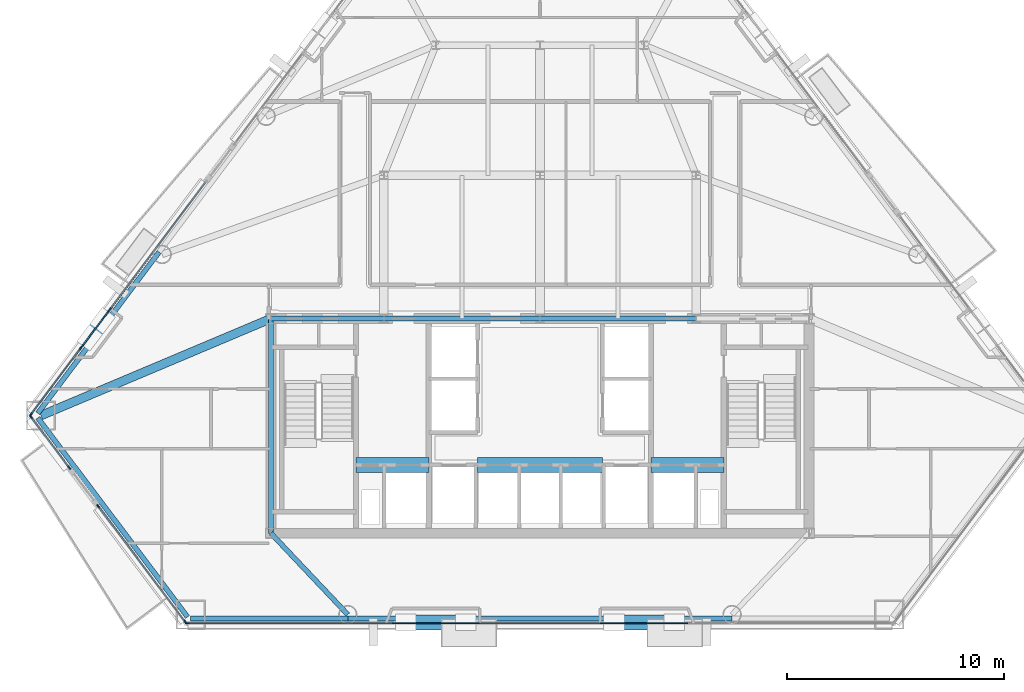
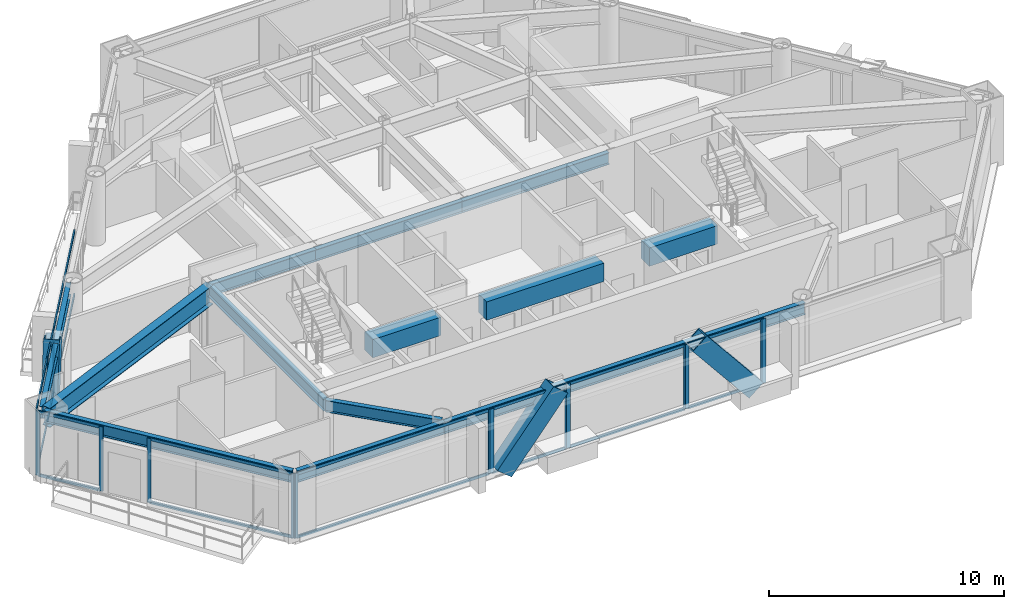
# One storey, part 2 of 11: 39 members, 13 beams, 10 elements without a shape of their own.
"""IFC4 building model written with IfcOpenShell, lengths in metres."""

import ifcopenshell
import ifcopenshell.guid

model = None  # the IFC model being written
_history = None  # IfcOwnerHistory: only IFC2X3 demands one
_inside = {}  # id of a spatial element -> (the spatial element, [elements in it])
_under = {}  # id of a project, library or spatial element -> (it, [spatial elements below it])
_declared = {}  # id of a project -> (the project, [libraries it declares])
_typed = {}  # id of a type object -> (the type object, [elements of that type])
_made_of = {}  # id of a material, layer set ... -> (it, [elements and type objects made of it])


def new_model(schema):
    """Start an empty IFC model of exactly this schema.

    Asked for "IFC4X3", IfcOpenShell would pick the latest addendum, in which some entities
    have other attributes; the version numbers below select the first issue.
    IFC2X3 requires an IfcOwnerHistory on every rooted entity: one is made here for all.
    """
    global model, _history
    if schema == "IFC4X3":
        model = ifcopenshell.file(schema_version=(4, 3, 0, 0))
    else:
        model = ifcopenshell.file(schema=schema)
    _inside.clear()
    _under.clear()
    _declared.clear()
    _typed.clear()
    _made_of.clear()
    _history = None
    if model.schema == "IFC2X3":
        org = make("IfcOrganization", Name="unknown")
        user = make(
            "IfcPersonAndOrganization",
            ThePerson=make("IfcPerson", FamilyName="unknown"),
            TheOrganization=org,
        )
        app = make(
            "IfcApplication",
            ApplicationDeveloper=org,
            Version="unknown",
            ApplicationFullName="unknown",
            ApplicationIdentifier="unknown",
        )
        _history = make(
            "IfcOwnerHistory",
            OwningUser=user,
            OwningApplication=app,
            ChangeAction="ADDED",
            CreationDate=0,
        )
    return model


def make(cls, **values):
    """One entity of the class cls with the attributes given. An attribute that is None is left unset."""
    return model.create_entity(
        cls, **{name: value for name, value in values.items() if value is not None}
    )


def rooted(cls, **values):
    """An entity with a GlobalId (a new one), such as an element, a storey or a relation."""
    return make(cls, GlobalId=ifcopenshell.guid.new(), OwnerHistory=_history, **values)


def si_unit(unit_type, name, prefix=None):
    """IfcSIUnit, for example si_unit("LENGTHUNIT", "METRE", prefix="MILLI")."""
    return make("IfcSIUnit", UnitType=unit_type, Prefix=prefix, Name=name)


def assignment(units):
    """IfcUnitAssignment: the units of a project."""
    return None if units is None else make("IfcUnitAssignment", Units=units)


def point(xyz):
    """IfcCartesianPoint."""
    return None if xyz is None else make("IfcCartesianPoint", Coordinates=xyz)


def direction(xyz):
    """IfcDirection."""
    return None if xyz is None else make("IfcDirection", DirectionRatios=xyz)


def frame(location, z_axis=None, x_axis=None):
    """IfcAxis2Placement3D, a coordinate frame: its origin and axes. An axis left out is left unset."""
    return make(
        "IfcAxis2Placement3D",
        Location=point(location),
        Axis=direction(z_axis),
        RefDirection=direction(x_axis),
    )


def frame_2d(location, x_axis=None):
    """IfcAxis2Placement2D, a coordinate frame in the plane: its origin and x axis."""
    return make(
        "IfcAxis2Placement2D", Location=point(location), RefDirection=direction(x_axis)
    )


def origin():
    """The frame at (0, 0, 0) with its axes left unset."""
    return frame((0.0, 0.0, 0.0))


def origin_2d():
    """The frame at (0, 0) in the plane with its x axis left unset."""
    return frame_2d((0.0, 0.0))


def place(relative_to, where):
    """IfcLocalPlacement: puts the frame where relative to a parent placement (None: the world)."""
    return make(
        "IfcLocalPlacement", PlacementRelTo=relative_to, RelativePlacement=where
    )


def context(
    kind, dimensions, precision=None, world=None, true_north=None, identifier=None
):
    """IfcGeometricRepresentationContext, for example the 3D "Model" context."""
    return make(
        "IfcGeometricRepresentationContext",
        ContextIdentifier=identifier,
        ContextType=kind,
        CoordinateSpaceDimension=dimensions,
        Precision=precision,
        WorldCoordinateSystem=world,
        TrueNorth=true_north,
    )


def subcontext(parent, identifier, kind, view, scale=None):
    """IfcGeometricRepresentationSubContext, for example "Body" below "Model"."""
    return make(
        "IfcGeometricRepresentationSubContext",
        ContextIdentifier=identifier,
        ContextType=kind,
        ParentContext=parent,
        TargetScale=scale,
        TargetView=view,
    )


def project(units=None, contexts=None):
    """IfcProject with its units and contexts."""
    return rooted(
        "IfcProject",
        Name="project",
        RepresentationContexts=contexts,
        UnitsInContext=assignment(units),
    )


def spatial(cls, under=None, at=None, **own):
    """A site, building, storey or space (cls), placed at a placement, below another one or the project."""
    s = rooted(cls, ObjectPlacement=at, **own)
    if under is not None:
        _under.setdefault(under.id(), (under, []))[1].append(s)
    return s


def profile(cls, at=None, kind="AREA", **sizes):
    """A parametric profile (cls). Its sizes go by their IFC names, for example OverallWidth=200.0."""
    return make(cls, ProfileType=kind, Position=at, **sizes)


def rectangle(**sizes):
    """IfcRectangleProfileDef."""
    return profile("IfcRectangleProfileDef", **sizes)


def hollow_rectangle(**sizes):
    """IfcRectangleHollowProfileDef."""
    return profile("IfcRectangleHollowProfileDef", **sizes)


def i_section(**sizes):
    """IfcIShapeProfileDef."""
    return profile("IfcIShapeProfileDef", **sizes)


def extrude(swept, where, along, depth):
    """IfcExtrudedAreaSolid: the profile swept, set in the frame where, extruded along a direction by depth."""
    return make(
        "IfcExtrudedAreaSolid",
        SweptArea=swept,
        Position=where,
        ExtrudedDirection=direction(along),
        Depth=depth,
    )


def shape(context_of_items, identifier, shape_type, items):
    """IfcShapeRepresentation: the items that make up one representation, for example the "Body"."""
    return make(
        "IfcShapeRepresentation",
        ContextOfItems=context_of_items,
        RepresentationIdentifier=identifier,
        RepresentationType=shape_type,
        Items=items,
    )


def material(Name=None, Category=None):
    """IfcMaterial."""
    return make("IfcMaterial", Name=Name, Category=Category)


def layer(
    of_material, thickness, ventilated=None, Name=None, Category=None, Priority=None
):
    """IfcMaterialLayer: one layer of a wall or slab, of a material (None: an air gap)."""
    return make(
        "IfcMaterialLayer",
        Material=of_material,
        LayerThickness=thickness,
        IsVentilated=ventilated,
        Name=Name,
        Category=Category,
        Priority=Priority,
    )


def layer_set(layers, Name=None):
    """IfcMaterialLayerSet."""
    return make("IfcMaterialLayerSet", MaterialLayers=layers, LayerSetName=Name)


def material_profile(
    of_material, cross_section, Name=None, Category=None, Priority=None
):
    """IfcMaterialProfile: a cross section and its material."""
    return make(
        "IfcMaterialProfile",
        Name=Name,
        Material=of_material,
        Profile=cross_section,
        Priority=Priority,
        Category=Category,
    )


def profile_set(profiles, Name=None, composite=None):
    """IfcMaterialProfileSet."""
    return make(
        "IfcMaterialProfileSet",
        Name=Name,
        MaterialProfiles=profiles,
        CompositeProfile=composite,
    )


def made_of(thing, what):
    """Note that an element or type object is made of a material, layer set ...; save() writes the relation."""
    if what is not None:
        _made_of.setdefault(what.id(), (what, []))[1].append(thing)
    return thing


def type_object(cls, material=None, **own):
    """A type object (cls), such as IfcWallType, which elements share."""
    return made_of(rooted(cls, **own), material)


def element(
    cls,
    number,
    at=None,
    inside=None,
    cuts=None,
    type_object=None,
    material=None,
    context=None,
    identifier="Body",
    shape_type=None,
    held_by="IfcProductDefinitionShape",
    body=None,
    shapes=None,
    **own,
):
    """One element of the class cls, such as IfcWall. Its Tag is "e" and its number.

    at: its placement. inside: the storey or other place that contains it. cuts: it is an
    opening in that element (IfcRelVoidsElement). A single representation is given by context,
    identifier, shape_type and body (its items); several are given by shapes. held_by: the class
    of the entity that holds the representations. save() writes the other relations.
    """
    e = rooted(cls, Tag="e%d" % number, ObjectPlacement=at, **own)
    if body is not None:
        shapes = [shape(context, identifier, shape_type, body)]
    if shapes is not None:
        e.Representation = make(held_by, Representations=shapes)
    if inside is not None:
        _inside.setdefault(inside.id(), (inside, []))[1].append(e)
    if cuts is not None:
        rooted(
            "IfcRelVoidsElement", RelatingBuildingElement=cuts, RelatedOpeningElement=e
        )
    if type_object is not None:
        _typed.setdefault(type_object.id(), (type_object, []))[1].append(e)
    return made_of(e, material)


def aggregate(whole, parts):
    """IfcRelAggregates: a whole, such as a stair, and the parts it consists of."""
    return rooted("IfcRelAggregates", RelatingObject=whole, RelatedObjects=parts)


def save(model, path):
    """Write the relations noted so far, then the file.

    IfcRelAggregates (storeys below a building ...), IfcRelContainedInSpatialStructure (elements
    in a storey), IfcRelDefinesByType, IfcRelAssociatesMaterial and IfcRelDeclares: one each for
    every whole, place, type object, material and project.
    """
    for whole, parts in _under.values():
        aggregate(whole, parts)
    for where, things in _inside.values():
        rooted(
            "IfcRelContainedInSpatialStructure",
            RelatedElements=things,
            RelatingStructure=where,
        )
    for kind, things in _typed.values():
        rooted("IfcRelDefinesByType", RelatedObjects=things, RelatingType=kind)
    for what, things in _made_of.values():
        rooted("IfcRelAssociatesMaterial", RelatedObjects=things, RelatingMaterial=what)
    for by, libraries in _declared.values():
        rooted("IfcRelDeclares", RelatingContext=by, RelatedDefinitions=libraries)
    model.write(path)


model = new_model("IFC4")

# Units and contexts
model_context = context("Model", 3, precision=1e-05, world=origin(), true_north=direction((0.0, 1.0)))
body_context = subcontext(model_context, "Body", "Model", "MODEL_VIEW")
ifc_project = project(units=[si_unit("LENGTHUNIT", "METRE"), si_unit("AREAUNIT", "SQUARE_METRE"), si_unit("VOLUMEUNIT", "CUBIC_METRE"), si_unit("PLANEANGLEUNIT", "RADIAN"), si_unit("MASSUNIT", "GRAM", prefix="KILO")], contexts=[model_context])

# Site, building, storey
site_placement = place(None, origin())
site = spatial("IfcSite", under=ifc_project, at=site_placement, CompositionType="ELEMENT")
building_placement = place(site_placement, origin())
building = spatial("IfcBuilding", under=site, at=building_placement, Name="Talgorran Terracotta Tower", CompositionType="ELEMENT")
storey_placement = place(building_placement, frame((0.0, 0.0, 68.39990234375)))
storey = spatial("IfcBuildingStorey", under=building, at=storey_placement, Name="L17", CompositionType="ELEMENT", Elevation=68.39990234375)

# Beams
ifc_material_1 = material(Name="Steel Grade 350 (350L0)", Category="steel")
ifc_material_profile_1 = material_profile(ifc_material_1, i_section(OverallWidth=0.39990234375, OverallDepth=1.0, WebThickness=0.01611328125, FlangeThickness=0.031005859375, at=origin_2d()), Name="1000WB296")
ifc_profile_set_1 = profile_set([ifc_material_profile_1], Name="Steel Grade 350 (350L0)")
beam_type_1 = type_object("IfcBeamType", Name="BM_1000WB296", PredefinedType="BEAM", material=ifc_profile_set_1)
beam_1_placement = place(storey_placement, frame((-12.39990234375, -4.199951171875, 2.85009765625), z_axis=(-0.921400833848, -0.388613565619, 0.0), x_axis=(0.388613565619, -0.921400833848, 0.0)))
element("IfcBeam", 1, at=beam_1_placement, inside=storey, type_object=beam_type_1, Name="L17 Floor Girder G17", PredefinedType="BEAM", context=body_context, shape_type="SweptSolid", body=[
    extrude(i_section(OverallWidth=0.39990234375, OverallDepth=1.0, WebThickness=0.01611328125, FlangeThickness=0.031005859375, at=origin_2d()), origin(), (0.0, 0.0, 1.0), 11.510009765625),
])
ifc_material_2 = material(Name="Concrete C65/80", Category="concrete")
ifc_material_profile_2 = material_profile(ifc_material_2, rectangle(XDim=0.699951171875, YDim=0.949951171875, at=origin_2d()), Name="RCCB700X950")
ifc_profile_set_2 = profile_set([ifc_material_profile_2], Name="Concrete C65/80")
beam_type_2 = type_object("IfcBeamType", Name="BM_CB_700X950", PredefinedType="LINTEL", material=ifc_profile_set_2)
beam_2_placement = place(storey_placement, frame((-8.47998046875, -10.949951171875, 2.875), z_axis=(1.0, 0.0, 0.0), x_axis=(0.0, 1.0, 0.0)))
element("IfcBeam", 2, at=beam_2_placement, inside=storey, type_object=beam_type_2, Name="L17 Core Shear-Wall Coupling Beam CB1", PredefinedType="LINTEL", context=body_context, shape_type="SweptSolid", body=[
    extrude(rectangle(XDim=0.699951171875, YDim=0.949951171875, at=origin_2d()), origin(), (0.0, 0.0, 1.0), 3.35986328125),
])
beam_3_placement = place(storey_placement, frame((-2.8798828125, -10.949951171875, 2.875), z_axis=(1.0, 0.0, 0.0), x_axis=(0.0, 1.0, 0.0)))
element("IfcBeam", 3, at=beam_3_placement, inside=storey, type_object=beam_type_2, Name="L17 Core Shear-Wall Coupling Beam CB2", PredefinedType="LINTEL", context=body_context, shape_type="SweptSolid", body=[
    extrude(rectangle(XDim=0.699951171875, YDim=0.949951171875, at=origin_2d()), origin(), (0.0, 0.0, 1.0), 5.759765625),
])
beam_4_placement = place(storey_placement, frame((5.1201171875, -10.949951171875, 2.875), z_axis=(1.0, 0.0, 0.0), x_axis=(0.0, 1.0, 0.0)))
element("IfcBeam", 4, at=beam_4_placement, inside=storey, type_object=beam_type_2, Name="L17 Core Shear-Wall Coupling Beam CB3", PredefinedType="LINTEL", context=body_context, shape_type="SweptSolid", body=[
    extrude(rectangle(XDim=0.699951171875, YDim=0.949951171875, at=origin_2d()), origin(), (0.0, 0.0, 1.0), 3.35986328125),
])
ifc_material_3 = material(Name="Steel S355 (300PLUS)", Category="steel")
ifc_material_profile_3 = material_profile(ifc_material_3, i_section(OverallWidth=0.22900390625, OverallDepth=0.611572265625, WebThickness=0.011962890625, FlangeThickness=0.01953125, at=origin_2d()), Name="610UB125")
ifc_profile_set_3 = profile_set([ifc_material_profile_3], Name="Steel S355 (300PLUS)")
beam_type_3 = type_object("IfcBeamType", Name="BM_SP_610UB125", PredefinedType="SPANDREL", material=ifc_profile_set_3)
beam_5_placement = place(storey_placement, frame((-23.14892578125, -8.781005859375, 3.044189453125), z_axis=(0.601237780209, -0.799070166913, 0.0), x_axis=(0.799070166913, 0.601237780209, 0.0)))
element("IfcBeam", 5, at=beam_5_placement, inside=storey, type_object=beam_type_3, Name="L17 Perimeter Spandrel Beam MC1-MC2", PredefinedType="SPANDREL", context=body_context, shape_type="SweptSolid", body=[
    extrude(i_section(OverallWidth=0.22900390625, OverallDepth=0.611572265625, WebThickness=0.011962890625, FlangeThickness=0.01953125, at=origin_2d()), origin(), (0.0, 0.0, 1.0), 11.480712890625),
])
beam_6_placement = place(storey_placement, frame((-16.1025390625, -18.026611328125, 3.044189453125), z_axis=(1.0, 0.0, 0.0), x_axis=(0.0, 1.0, 0.0)))
element("IfcBeam", 6, at=beam_6_placement, inside=storey, type_object=beam_type_3, Name="L17 Perimeter Spandrel Beam MC2-FC1", PredefinedType="SPANDREL", context=body_context, shape_type="SweptSolid", body=[
    extrude(i_section(OverallWidth=0.22900390625, OverallDepth=0.611572265625, WebThickness=0.011962890625, FlangeThickness=0.01953125, at=origin_2d()), origin(), (0.0, 0.0, 1.0), 7.24609375),
])
beam_7_placement = place(storey_placement, frame((-8.8564453125, -18.026611328125, 3.044189453125), z_axis=(1.0, 0.0, 0.0), x_axis=(0.0, 1.0, 0.0)))
element("IfcBeam", 7, at=beam_7_placement, inside=storey, type_object=beam_type_3, Name="L17 Perimeter Spandrel Beam FC1-FC2", PredefinedType="SPANDREL", context=body_context, shape_type="SweptSolid", body=[
    extrude(i_section(OverallWidth=0.22900390625, OverallDepth=0.611572265625, WebThickness=0.011962890625, FlangeThickness=0.01953125, at=origin_2d()), origin(), (0.0, 0.0, 1.0), 17.712890625),
])
beam_8_placement = place(storey_placement, frame((-17.559326171875, -1.135498046875, 3.044189453125), z_axis=(-0.601217758064, -0.799085231617, 0.0), x_axis=(0.799085231617, -0.601217758064, 0.0)))
element("IfcBeam", 8, at=beam_8_placement, inside=storey, type_object=beam_type_3, Name="L17 Perimeter Spandrel Beam FC6-MC1", PredefinedType="SPANDREL", context=body_context, shape_type="SweptSolid", body=[
    extrude(i_section(OverallWidth=0.22900390625, OverallDepth=0.611572265625, WebThickness=0.011962890625, FlangeThickness=0.01953125, at=origin_2d()), origin(), (0.0, 0.0, 1.0), 9.297119140625),
])
beam_9_placement = place(storey_placement, frame((-8.8564453125, -17.8466796875, 3.044189453125), z_axis=(-0.687137724954, 0.726527182523, 0.0), x_axis=(-0.726527182523, -0.687137724954, 0.0)))
element("IfcBeam", 9, at=beam_9_placement, inside=storey, type_object=beam_type_3, Name="L17 South-West Core Tie Beam", PredefinedType="SPANDREL", context=body_context, shape_type="SweptSolid", body=[
    extrude(i_section(OverallWidth=0.22900390625, OverallDepth=0.611572265625, WebThickness=0.011962890625, FlangeThickness=0.01953125, at=origin_2d()), origin(), (0.0, 0.0, 1.0), 5.15673828125),
])
beam_10_placement = place(storey_placement, frame((-12.39990234375, -14.10009765625, 3.044189453125), z_axis=(0.0, 1.0, 0.0), x_axis=(-1.0, 0.0, 0.0)))
element("IfcBeam", 10, at=beam_10_placement, inside=storey, type_object=beam_type_3, Name="L17 Core Frame Beam CFW", PredefinedType="SPANDREL", context=body_context, shape_type="SweptSolid", body=[
    extrude(i_section(OverallWidth=0.22900390625, OverallDepth=0.611572265625, WebThickness=0.011962890625, FlangeThickness=0.01953125, at=origin_2d()), origin(), (0.0, 0.0, 1.0), 9.900146484375),
])
beam_11_placement = place(storey_placement, frame((-12.39990234375, -4.199951171875, 3.044189453125), z_axis=(1.0, 0.0, 0.0), x_axis=(0.0, 1.0, 0.0)))
element("IfcBeam", 11, at=beam_11_placement, inside=storey, type_object=beam_type_3, Name="L17 Core Frame Beam CFN1", PredefinedType="SPANDREL", context=body_context, shape_type="SweptSolid", body=[
    extrude(i_section(OverallWidth=0.22900390625, OverallDepth=0.611572265625, WebThickness=0.011962890625, FlangeThickness=0.01953125, at=origin_2d()), origin(), (0.0, 0.0, 1.0), 5.199951171875),
])
for number, where, z_axis, x_axis, name in (
    (12, (-7.199951171875, -4.199951171875, 3.044189453125), (1.0, 0.0, 0.0), (0.0, 1.0, 0.0), "L17 Core Frame Beam CFN2"),
    (13, (0.0, -4.199951171875, 3.044189453125), (1.0, 0.0, 0.0), (0.0, 1.0, 0.0), "L17 Core Frame Beam CFN3"),
):
    element("IfcBeam", number, at=place(storey_placement, frame(where, z_axis=z_axis, x_axis=x_axis)), inside=storey, type_object=beam_type_3, Name=name, PredefinedType="SPANDREL", context=body_context, shape_type="SweptSolid", body=[
        extrude(i_section(OverallWidth=0.22900390625, OverallDepth=0.611572265625, WebThickness=0.011962890625, FlangeThickness=0.01953125, at=origin_2d()), origin(), (0.0, 0.0, 1.0), 7.199951171875),
    ])

# Members
ifc_material_profile_4 = material_profile(ifc_material_1, hollow_rectangle(XDim=0.699951171875, YDim=0.89990234375, WallThickness=0.050048828125, at=origin_2d()), Name="WBOX900X700X50")
ifc_profile_set_4 = profile_set([ifc_material_profile_4], Name="Steel Grade 350 (350L0)")
member_type_1 = type_object("IfcMemberType", Name="MB_MEGA_900", PredefinedType="BRACE", material=ifc_profile_set_4)
for number, where, z_axis, x_axis, name in (
    (14, (-6.187255859375, -18.206787109375, -0.02490234375), (0.631367983521, 0.0, 0.77548337789), (0.0, 1.0, 0.0), "L17 Exterior Face Mega-Brace MB-1 (SWF)"),
    (15, (6.187255859375, -18.206787109375, -0.02490234375), (-0.631367983521, 0.0, 0.77548337789), (0.0, -1.0, 0.0), "L17 Exterior Face Mega-Brace MB-1 (SEF)"),
):
    element("IfcMember", number, at=place(storey_placement, frame(where, z_axis=z_axis, x_axis=x_axis)), inside=storey, type_object=member_type_1, Name=name, PredefinedType="BRACE", context=body_context, shape_type="SweptSolid", body=[
        extrude(hollow_rectangle(XDim=0.699951171875, YDim=0.89990234375, WallThickness=0.050048828125, at=origin_2d()), origin(), (0.0, 0.0, 1.0), 4.38427734375),
    ])
member_1_placement = place(storey_placement, frame((-20.759765625, -5.089599609375, -0.02490234375), z_axis=(0.169613959459, 0.225348197153, 0.959400487177), x_axis=(-0.798972940561, 0.601366976356, 0.0)))
element("IfcMember", 16, at=member_1_placement, inside=storey, type_object=member_type_1, Name="L17 Exterior Face Mega-Brace MB-1 (NWL)", PredefinedType="BRACE", context=body_context, shape_type="SweptSolid", body=[
    extrude(hollow_rectangle(XDim=0.699951171875, YDim=0.89990234375, WallThickness=0.050048828125, at=origin_2d()), origin(), (0.0, 0.0, 1.0), 3.543701171875),
])

# Curtain wall, members
ifc_material_4 = material(Name="Unitised Low-E Double Glazing", Category="glass")
ifc_layer = layer(ifc_material_4, 0.199951171875, Name="CW_SYS2_RES_LOW")
ifc_layer_set = layer_set([ifc_layer], Name="Unitised Low-E Double Glazing")
curtain_wall_type = type_object("IfcCurtainWallType", Name="CW_SYS2_RES_LOW", PredefinedType="NOTDEFINED", material=ifc_layer_set)
curtain_wall_1_placement = place(storey_placement, origin())
curtain_wall_1 = element("IfcCurtainWall", 17, at=curtain_wall_1_placement, inside=storey, type_object=curtain_wall_type, Name="CW-L17-F10", PredefinedType="NOTDEFINED")
ifc_material_5 = material(Name="Architectural Aluminium 6063-T6", Category="aluminium")
ifc_material_profile_5 = material_profile(ifc_material_5, rectangle(XDim=0.06494140625, YDim=0.18505859375, at=origin_2d()), Name="CWM65X185")
ifc_profile_set_5 = profile_set([ifc_material_profile_5], Name="Architectural Aluminium 6063-T6")
member_type_2 = type_object("IfcMemberType", Name="MUL_65X185", PredefinedType="MULLION", material=ifc_profile_set_5)
member_2_placement = place(storey_placement, frame((-23.462158203125, -8.730712890625, 0.0), z_axis=(0.0, 0.0, 1.0), x_axis=(0.799059301885, 0.601252220013, 0.0)))
member_2 = element("IfcMember", 18, at=member_2_placement, type_object=member_type_2, Name="CW-L17-10 mullion 1", PredefinedType="MULLION", context=body_context, shape_type="SweptSolid", body=[
    extrude(rectangle(XDim=0.06494140625, YDim=0.18505859375, at=origin_2d()), origin(), (0.0, 0.0, 1.0), 3.35009765625),
])
member_3_placement = place(storey_placement, frame((-21.697021484375, -11.07666015625, 0.0), z_axis=(0.0, 0.0, 1.0), x_axis=(0.799059301885, 0.601252220013, 0.0)))
member_3 = element("IfcMember", 19, at=member_3_placement, type_object=member_type_2, Name="CW-L17-10 mullion 2", PredefinedType="MULLION", context=body_context, shape_type="SweptSolid", body=[
    extrude(rectangle(XDim=0.06494140625, YDim=0.18505859375, at=origin_2d()), origin(), (0.0, 0.0, 1.0), 3.35009765625),
])

curtain_wall_2_placement = place(storey_placement, origin())
curtain_wall_2 = element("IfcCurtainWall", 20, at=curtain_wall_2_placement, inside=storey, type_object=curtain_wall_type, Name="CW-L17-F11", PredefinedType="NOTDEFINED")
member_4_placement = place(storey_placement, frame((-20.359375, -12.854736328125, 0.0), z_axis=(0.0, 0.0, 1.0), x_axis=(0.799059018604, 0.601252596491, 0.0)))
member_4 = element("IfcMember", 21, at=member_4_placement, type_object=member_type_2, Name="CW-L17-11 mullion 1", PredefinedType="MULLION", context=body_context, shape_type="SweptSolid", body=[
    extrude(rectangle(XDim=0.06494140625, YDim=0.18505859375, at=origin_2d()), origin(), (0.0, 0.0, 1.0), 3.35009765625),
])
member_5_placement = place(storey_placement, frame((-16.345703125, -18.188720703125, 0.0), z_axis=(0.0, 0.0, 1.0), x_axis=(0.799059018604, 0.601252596491, 0.0)))
member_5 = element("IfcMember", 22, at=member_5_placement, type_object=member_type_2, Name="CW-L17-11 mullion 2", PredefinedType="MULLION", context=body_context, shape_type="SweptSolid", body=[
    extrude(rectangle(XDim=0.06494140625, YDim=0.18505859375, at=origin_2d()), origin(), (0.0, 0.0, 1.0), 3.35009765625),
])

curtain_wall_3_placement = place(storey_placement, origin())
curtain_wall_3 = element("IfcCurtainWall", 23, at=curtain_wall_3_placement, inside=storey, type_object=curtain_wall_type, Name="CW-L17-F1", PredefinedType="NOTDEFINED")
member_6_placement = place(storey_placement, frame((-16.26953125, -18.24658203125, 0.0), z_axis=(0.0, 0.0, 1.0), x_axis=(0.0, 1.0, 0.0)))
member_6 = element("IfcMember", 24, at=member_6_placement, type_object=member_type_2, Name="CW-L17-1 mullion 1", PredefinedType="MULLION", context=body_context, shape_type="SweptSolid", body=[
    extrude(rectangle(XDim=0.06494140625, YDim=0.18505859375, at=origin_2d()), origin(), (0.0, 0.0, 1.0), 3.35009765625),
])
member_7_placement = place(storey_placement, frame((-6.7236328125, -18.24658203125, 0.0), z_axis=(0.0, 0.0, 1.0), x_axis=(0.0, 1.0, 0.0)))
member_7 = element("IfcMember", 25, at=member_7_placement, type_object=member_type_2, Name="CW-L17-1 mullion 2", PredefinedType="MULLION", context=body_context, shape_type="SweptSolid", body=[
    extrude(rectangle(XDim=0.06494140625, YDim=0.18505859375, at=origin_2d()), origin(), (0.0, 0.0, 1.0), 3.35009765625),
])

curtain_wall_4_placement = place(storey_placement, origin())
curtain_wall_4 = element("IfcCurtainWall", 26, at=curtain_wall_4_placement, inside=storey, type_object=curtain_wall_type, Name="CW-L17-F1B", PredefinedType="NOTDEFINED")
member_8_placement = place(storey_placement, frame((-6.648681640625, -18.24658203125, 0.0), z_axis=(0.0, 0.0, 1.0), x_axis=(0.0, 1.0, 0.0)))
member_8 = element("IfcMember", 27, at=member_8_placement, type_object=member_type_2, Name="CW-L17-1B mullion 1", PredefinedType="MULLION", context=body_context, shape_type="SweptSolid", body=[
    extrude(rectangle(XDim=0.06494140625, YDim=0.18505859375, at=origin_2d()), origin(), (0.0, 0.0, 1.0), 3.35009765625),
])
member_9_placement = place(storey_placement, frame((-2.957763671875, -18.24658203125, 0.0), z_axis=(0.0, 0.0, 1.0), x_axis=(0.0, 1.0, 0.0)))
member_9 = element("IfcMember", 28, at=member_9_placement, type_object=member_type_2, Name="CW-L17-1B mullion 2", PredefinedType="MULLION", context=body_context, shape_type="SweptSolid", body=[
    extrude(rectangle(XDim=0.06494140625, YDim=0.18505859375, at=origin_2d()), origin(), (0.0, 0.0, 1.0), 3.35009765625),
])

curtain_wall_5_placement = place(storey_placement, origin())
curtain_wall_5 = element("IfcCurtainWall", 29, at=curtain_wall_5_placement, inside=storey, type_object=curtain_wall_type, Name="CW-L17-F1C", PredefinedType="NOTDEFINED")
member_10_placement = place(storey_placement, frame((-2.8828125, -18.24658203125, 0.0), z_axis=(0.0, 0.0, 1.0), x_axis=(0.0, 1.0, 0.0)))
member_10 = element("IfcMember", 30, at=member_10_placement, type_object=member_type_2, Name="CW-L17-1C mullion 1", PredefinedType="MULLION", context=body_context, shape_type="SweptSolid", body=[
    extrude(rectangle(XDim=0.06494140625, YDim=0.18505859375, at=origin_2d()), origin(), (0.0, 0.0, 1.0), 3.35009765625),
])
member_11_placement = place(storey_placement, frame((2.8828125, -18.24658203125, 0.0), z_axis=(0.0, 0.0, 1.0), x_axis=(0.0, 1.0, 0.0)))
member_11 = element("IfcMember", 31, at=member_11_placement, type_object=member_type_2, Name="CW-L17-1C mullion 2", PredefinedType="MULLION", context=body_context, shape_type="SweptSolid", body=[
    extrude(rectangle(XDim=0.06494140625, YDim=0.18505859375, at=origin_2d()), origin(), (0.0, 0.0, 1.0), 3.35009765625),
])

curtain_wall_6_placement = place(storey_placement, origin())
curtain_wall_6 = element("IfcCurtainWall", 32, at=curtain_wall_6_placement, inside=storey, type_object=curtain_wall_type, Name="CW-L17-F1D", PredefinedType="NOTDEFINED")
member_12_placement = place(storey_placement, frame((2.957763671875, -18.24658203125, 0.0), z_axis=(0.0, 0.0, 1.0), x_axis=(0.0, 1.0, 0.0)))
member_12 = element("IfcMember", 33, at=member_12_placement, type_object=member_type_2, Name="CW-L17-1D mullion 1", PredefinedType="MULLION", context=body_context, shape_type="SweptSolid", body=[
    extrude(rectangle(XDim=0.06494140625, YDim=0.18505859375, at=origin_2d()), origin(), (0.0, 0.0, 1.0), 3.35009765625),
])
member_13_placement = place(storey_placement, frame((6.648681640625, -18.24658203125, 0.0), z_axis=(0.0, 0.0, 1.0), x_axis=(0.0, 1.0, 0.0)))
member_13 = element("IfcMember", 34, at=member_13_placement, type_object=member_type_2, Name="CW-L17-1D mullion 2", PredefinedType="MULLION", context=body_context, shape_type="SweptSolid", body=[
    extrude(rectangle(XDim=0.06494140625, YDim=0.18505859375, at=origin_2d()), origin(), (0.0, 0.0, 1.0), 3.35009765625),
])

# Curtain wall, member
curtain_wall_7_placement = place(storey_placement, origin())
curtain_wall_7 = element("IfcCurtainWall", 35, at=curtain_wall_7_placement, inside=storey, type_object=curtain_wall_type, Name="CW-L17-F1E", PredefinedType="NOTDEFINED")
member_14_placement = place(storey_placement, frame((6.7236328125, -18.24658203125, 0.0), z_axis=(0.0, 0.0, 1.0), x_axis=(0.0, 1.0, 0.0)))
member_14 = element("IfcMember", 36, at=member_14_placement, type_object=member_type_2, Name="CW-L17-1E mullion 1", PredefinedType="MULLION", context=body_context, shape_type="SweptSolid", body=[
    extrude(rectangle(XDim=0.06494140625, YDim=0.18505859375, at=origin_2d()), origin(), (0.0, 0.0, 1.0), 3.35009765625),
])
aggregate(curtain_wall_7, [member_14])

curtain_wall_8_placement = place(storey_placement, origin())
curtain_wall_8 = element("IfcCurtainWall", 37, at=curtain_wall_8_placement, inside=storey, type_object=curtain_wall_type, Name="CW-L17-F61", PredefinedType="NOTDEFINED")
member_15_placement = place(storey_placement, frame((-19.818359375, -3.77197265625, 0.0), z_axis=(0.0, 0.0, 1.0), x_axis=(0.799068241229, -0.601240339514, 0.0)))
member_15 = element("IfcMember", 38, at=member_15_placement, type_object=member_type_2, Name="CW-L17-61 mullion 2", PredefinedType="MULLION", context=body_context, shape_type="SweptSolid", body=[
    extrude(rectangle(XDim=0.06494140625, YDim=0.18505859375, at=origin_2d()), origin(), (0.0, 0.0, 1.0), 3.35009765625),
])

# Curtain wall, members
curtain_wall_9_placement = place(storey_placement, origin())
curtain_wall_9 = element("IfcCurtainWall", 39, at=curtain_wall_9_placement, inside=storey, type_object=curtain_wall_type, Name="CW-L17-F61B", PredefinedType="NOTDEFINED")
member_16_placement = place(storey_placement, frame((-19.863525390625, -3.83203125, 0.0), z_axis=(0.0, 0.0, 1.0), x_axis=(0.799084982289, -0.601218089449, 0.0)))
member_16 = element("IfcMember", 40, at=member_16_placement, type_object=member_type_2, Name="CW-L17-61B mullion 1", PredefinedType="MULLION", context=body_context, shape_type="SweptSolid", body=[
    extrude(rectangle(XDim=0.06494140625, YDim=0.18505859375, at=origin_2d()), origin(), (0.0, 0.0, 1.0), 3.35009765625),
])
member_17_placement = place(storey_placement, frame((-21.118896484375, -5.50048828125, 0.0), z_axis=(0.0, 0.0, 1.0), x_axis=(0.799084982289, -0.601218089449, 0.0)))
member_17 = element("IfcMember", 41, at=member_17_placement, type_object=member_type_2, Name="CW-L17-61B mullion 2", PredefinedType="MULLION", context=body_context, shape_type="SweptSolid", body=[
    extrude(rectangle(XDim=0.06494140625, YDim=0.18505859375, at=origin_2d()), origin(), (0.0, 0.0, 1.0), 3.35009765625),
])

curtain_wall_10_placement = place(storey_placement, origin())
curtain_wall_10 = element("IfcCurtainWall", 42, at=curtain_wall_10_placement, inside=storey, type_object=curtain_wall_type, Name="CW-L17-F61C", PredefinedType="NOTDEFINED")
member_18_placement = place(storey_placement, frame((-21.1640625, -5.560302734375, 0.0), z_axis=(0.0, 0.0, 1.0), x_axis=(0.799060644957, -0.601250435077, 0.0)))
member_18 = element("IfcMember", 43, at=member_18_placement, type_object=member_type_2, Name="CW-L17-61C mullion 1", PredefinedType="MULLION", context=body_context, shape_type="SweptSolid", body=[
    extrude(rectangle(XDim=0.06494140625, YDim=0.18505859375, at=origin_2d()), origin(), (0.0, 0.0, 1.0), 3.35009765625),
])
member_19_placement = place(storey_placement, frame((-23.462158203125, -8.61474609375, 0.0), z_axis=(0.0, 0.0, 1.0), x_axis=(0.799060644957, -0.601250435077, 0.0)))
member_19 = element("IfcMember", 44, at=member_19_placement, type_object=member_type_2, Name="CW-L17-61C mullion 2", PredefinedType="MULLION", context=body_context, shape_type="SweptSolid", body=[
    extrude(rectangle(XDim=0.06494140625, YDim=0.18505859375, at=origin_2d()), origin(), (0.0, 0.0, 1.0), 3.35009765625),
])

# Member
ifc_material_profile_6 = material_profile(ifc_material_5, rectangle(XDim=0.06494140625, YDim=0.14990234375, at=origin_2d()), Name="CWT65X150")
ifc_profile_set_6 = profile_set([ifc_material_profile_6], Name="Architectural Aluminium 6063-T6")
member_type_3 = type_object("IfcMemberType", Name="TRN_65X150", PredefinedType="USERDEFINED", material=ifc_profile_set_6)
member_20_placement = place(storey_placement, frame((-23.442626953125, -8.7568359375, 0.03271484375), z_axis=(0.601251092321, -0.799060150416, 0.0), x_axis=(0.799060150416, 0.601251092321, 0.0)))
member_20 = element("IfcMember", 45, at=member_20_placement, type_object=member_type_3, Name="CW-L17-10 transom 1.1", ObjectType="TRANSOM", PredefinedType="USERDEFINED", context=body_context, shape_type="SweptSolid", body=[
    extrude(rectangle(XDim=0.06494140625, YDim=0.14990234375, at=origin_2d()), origin(), (0.0, 0.0, 1.0), 2.870849609375),
])

member_21_placement = place(storey_placement, frame((-23.442626953125, -8.7568359375, 3.317626953125), z_axis=(0.601251092321, -0.799060150416, 0.0), x_axis=(0.799060150416, 0.601251092321, 0.0)))
member_21 = element("IfcMember", 46, at=member_21_placement, type_object=member_type_3, Name="CW-L17-10 transom 1.2", ObjectType="TRANSOM", PredefinedType="USERDEFINED", context=body_context, shape_type="SweptSolid", body=[
    extrude(rectangle(XDim=0.06494140625, YDim=0.14990234375, at=origin_2d()), origin(), (0.0, 0.0, 1.0), 2.870849609375),
])

aggregate(curtain_wall_1, [member_2, member_3, member_20, member_21])

member_22_placement = place(storey_placement, frame((-20.339599609375, -12.880615234375, 0.03271484375), z_axis=(0.601228414121, -0.799077214075, 0.0), x_axis=(0.799077214075, 0.601228414121, 0.0)))
member_22 = element("IfcMember", 47, at=member_22_placement, type_object=member_type_3, Name="CW-L17-11 transom 1.1", ObjectType="TRANSOM", PredefinedType="USERDEFINED", context=body_context, shape_type="SweptSolid", body=[
    extrude(rectangle(XDim=0.06494140625, YDim=0.14990234375, at=origin_2d()), origin(), (0.0, 0.0, 1.0), 6.6103515625),
])

member_23_placement = place(storey_placement, frame((-20.339599609375, -12.880615234375, 3.317626953125), z_axis=(0.601228414121, -0.799077214075, 0.0), x_axis=(0.799077214075, 0.601228414121, 0.0)))
member_23 = element("IfcMember", 48, at=member_23_placement, type_object=member_type_3, Name="CW-L17-11 transom 1.2", ObjectType="TRANSOM", PredefinedType="USERDEFINED", context=body_context, shape_type="SweptSolid", body=[
    extrude(rectangle(XDim=0.06494140625, YDim=0.14990234375, at=origin_2d()), origin(), (0.0, 0.0, 1.0), 6.6103515625),
])

aggregate(curtain_wall_2, [member_4, member_5, member_22, member_23])

member_24_placement = place(storey_placement, frame((-16.237060546875, -18.24658203125, 0.03271484375), z_axis=(1.0, 0.0, 0.0), x_axis=(0.0, 1.0, 0.0)))
member_24 = element("IfcMember", 49, at=member_24_placement, type_object=member_type_3, Name="CW-L17-1 transom 1.1", ObjectType="TRANSOM", PredefinedType="USERDEFINED", context=body_context, shape_type="SweptSolid", body=[
    extrude(rectangle(XDim=0.06494140625, YDim=0.14990234375, at=origin_2d()), origin(), (0.0, 0.0, 1.0), 9.48095703125),
])

member_25_placement = place(storey_placement, frame((-16.237060546875, -18.24658203125, 3.317626953125), z_axis=(1.0, 0.0, 0.0), x_axis=(0.0, 1.0, 0.0)))
member_25 = element("IfcMember", 50, at=member_25_placement, type_object=member_type_3, Name="CW-L17-1 transom 1.2", ObjectType="TRANSOM", PredefinedType="USERDEFINED", context=body_context, shape_type="SweptSolid", body=[
    extrude(rectangle(XDim=0.06494140625, YDim=0.14990234375, at=origin_2d()), origin(), (0.0, 0.0, 1.0), 9.48095703125),
])

aggregate(curtain_wall_3, [member_6, member_7, member_24, member_25])

member_26_placement = place(storey_placement, frame((-6.6162109375, -18.24658203125, 0.03271484375), z_axis=(1.0, 0.0, 0.0), x_axis=(0.0, 1.0, 0.0)))
member_26 = element("IfcMember", 51, at=member_26_placement, type_object=member_type_3, Name="CW-L17-1B transom 1.1", ObjectType="TRANSOM", PredefinedType="USERDEFINED", context=body_context, shape_type="SweptSolid", body=[
    extrude(rectangle(XDim=0.06494140625, YDim=0.14990234375, at=origin_2d()), origin(), (0.0, 0.0, 1.0), 3.6259765625),
])

member_27_placement = place(storey_placement, frame((-6.6162109375, -18.24658203125, 3.317626953125), z_axis=(1.0, 0.0, 0.0), x_axis=(0.0, 1.0, 0.0)))
member_27 = element("IfcMember", 52, at=member_27_placement, type_object=member_type_3, Name="CW-L17-1B transom 1.2", ObjectType="TRANSOM", PredefinedType="USERDEFINED", context=body_context, shape_type="SweptSolid", body=[
    extrude(rectangle(XDim=0.06494140625, YDim=0.14990234375, at=origin_2d()), origin(), (0.0, 0.0, 1.0), 3.6259765625),
])

aggregate(curtain_wall_4, [member_8, member_9, member_26, member_27])

member_28_placement = place(storey_placement, frame((-2.850341796875, -18.24658203125, 0.03271484375), z_axis=(1.0, 0.0, 0.0), x_axis=(0.0, 1.0, 0.0)))
member_28 = element("IfcMember", 53, at=member_28_placement, type_object=member_type_3, Name="CW-L17-1C transom 1.1", ObjectType="TRANSOM", PredefinedType="USERDEFINED", context=body_context, shape_type="SweptSolid", body=[
    extrude(rectangle(XDim=0.06494140625, YDim=0.14990234375, at=origin_2d()), origin(), (0.0, 0.0, 1.0), 5.70068359375),
])

member_29_placement = place(storey_placement, frame((-2.850341796875, -18.24658203125, 3.317626953125), z_axis=(1.0, 0.0, 0.0), x_axis=(0.0, 1.0, 0.0)))
member_29 = element("IfcMember", 54, at=member_29_placement, type_object=member_type_3, Name="CW-L17-1C transom 1.2", ObjectType="TRANSOM", PredefinedType="USERDEFINED", context=body_context, shape_type="SweptSolid", body=[
    extrude(rectangle(XDim=0.06494140625, YDim=0.14990234375, at=origin_2d()), origin(), (0.0, 0.0, 1.0), 5.70068359375),
])

aggregate(curtain_wall_5, [member_10, member_11, member_28, member_29])

member_30_placement = place(storey_placement, frame((2.990234375, -18.24658203125, 0.03271484375), z_axis=(1.0, 0.0, 0.0), x_axis=(0.0, 1.0, 0.0)))
member_30 = element("IfcMember", 55, at=member_30_placement, type_object=member_type_3, Name="CW-L17-1D transom 1.1", ObjectType="TRANSOM", PredefinedType="USERDEFINED", context=body_context, shape_type="SweptSolid", body=[
    extrude(rectangle(XDim=0.06494140625, YDim=0.14990234375, at=origin_2d()), origin(), (0.0, 0.0, 1.0), 3.6259765625),
])

member_31_placement = place(storey_placement, frame((2.990234375, -18.24658203125, 3.317626953125), z_axis=(1.0, 0.0, 0.0), x_axis=(0.0, 1.0, 0.0)))
member_31 = element("IfcMember", 56, at=member_31_placement, type_object=member_type_3, Name="CW-L17-1D transom 1.2", ObjectType="TRANSOM", PredefinedType="USERDEFINED", context=body_context, shape_type="SweptSolid", body=[
    extrude(rectangle(XDim=0.06494140625, YDim=0.14990234375, at=origin_2d()), origin(), (0.0, 0.0, 1.0), 3.6259765625),
])

aggregate(curtain_wall_6, [member_12, member_13, member_30, member_31])

member_32_placement = place(storey_placement, frame((-15.419921875, 2.073486328125, 0.03271484375), z_axis=(-0.601248964711, -0.799061751327, 0.0), x_axis=(0.799061751327, -0.601248964711, 0.0)))
member_32 = element("IfcMember", 57, at=member_32_placement, type_object=member_type_3, Name="CW-L17-61 transom 1.1", ObjectType="TRANSOM", PredefinedType="USERDEFINED", context=body_context, shape_type="SweptSolid", body=[
    extrude(rectangle(XDim=0.06494140625, YDim=0.14990234375, at=origin_2d()), origin(), (0.0, 0.0, 1.0), 7.282958984375),
])

member_33_placement = place(storey_placement, frame((-15.419921875, 2.073486328125, 3.317626953125), z_axis=(-0.601248964711, -0.799061751327, 0.0), x_axis=(0.799061751327, -0.601248964711, 0.0)))
member_33 = element("IfcMember", 58, at=member_33_placement, type_object=member_type_3, Name="CW-L17-61 transom 1.2", ObjectType="TRANSOM", PredefinedType="USERDEFINED", context=body_context, shape_type="SweptSolid", body=[
    extrude(rectangle(XDim=0.06494140625, YDim=0.14990234375, at=origin_2d()), origin(), (0.0, 0.0, 1.0), 7.282958984375),
])

aggregate(curtain_wall_8, [member_15, member_32, member_33])

member_34_placement = place(storey_placement, frame((-19.883056640625, -3.85791015625, 0.03271484375), z_axis=(-0.601254389145, -0.799057669717, 0.0), x_axis=(0.799057669717, -0.601254389145, 0.0)))
member_34 = element("IfcMember", 59, at=member_34_placement, type_object=member_type_3, Name="CW-L17-61B transom 1.1", ObjectType="TRANSOM", PredefinedType="USERDEFINED", context=body_context, shape_type="SweptSolid", body=[
    extrude(rectangle(XDim=0.06494140625, YDim=0.14990234375, at=origin_2d()), origin(), (0.0, 0.0, 1.0), 2.02294921875),
])

member_35_placement = place(storey_placement, frame((-19.883056640625, -3.85791015625, 3.317626953125), z_axis=(-0.601254389145, -0.799057669717, 0.0), x_axis=(0.799057669717, -0.601254389145, 0.0)))
member_35 = element("IfcMember", 60, at=member_35_placement, type_object=member_type_3, Name="CW-L17-61B transom 1.2", ObjectType="TRANSOM", PredefinedType="USERDEFINED", context=body_context, shape_type="SweptSolid", body=[
    extrude(rectangle(XDim=0.06494140625, YDim=0.14990234375, at=origin_2d()), origin(), (0.0, 0.0, 1.0), 2.02294921875),
])

aggregate(curtain_wall_9, [member_16, member_17, member_34, member_35])

member_36_placement = place(storey_placement, frame((-21.18359375, -5.58642578125, 0.03271484375), z_axis=(-0.601226047812, -0.799078994488, 0.0), x_axis=(0.799078994488, -0.601226047812, 0.0)))
member_36 = element("IfcMember", 61, at=member_36_placement, type_object=member_type_3, Name="CW-L17-61C transom 1.1", ObjectType="TRANSOM", PredefinedType="USERDEFINED", context=body_context, shape_type="SweptSolid", body=[
    extrude(rectangle(XDim=0.06494140625, YDim=0.14990234375, at=origin_2d()), origin(), (0.0, 0.0, 1.0), 3.75732421875),
])

member_37_placement = place(storey_placement, frame((-21.18359375, -5.58642578125, 3.317626953125), z_axis=(-0.601226047812, -0.799078994488, 0.0), x_axis=(0.799078994488, -0.601226047812, 0.0)))
member_37 = element("IfcMember", 62, at=member_37_placement, type_object=member_type_3, Name="CW-L17-61C transom 1.2", ObjectType="TRANSOM", PredefinedType="USERDEFINED", context=body_context, shape_type="SweptSolid", body=[
    extrude(rectangle(XDim=0.06494140625, YDim=0.14990234375, at=origin_2d()), origin(), (0.0, 0.0, 1.0), 3.75732421875),
])

aggregate(curtain_wall_10, [member_18, member_19, member_36, member_37])

save(model, "model.ifc")
